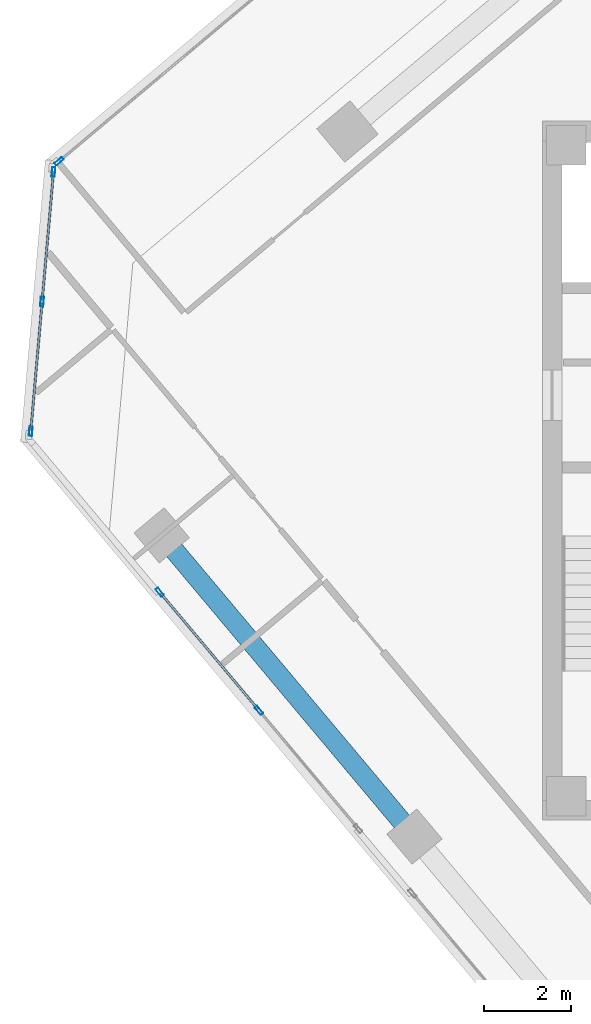
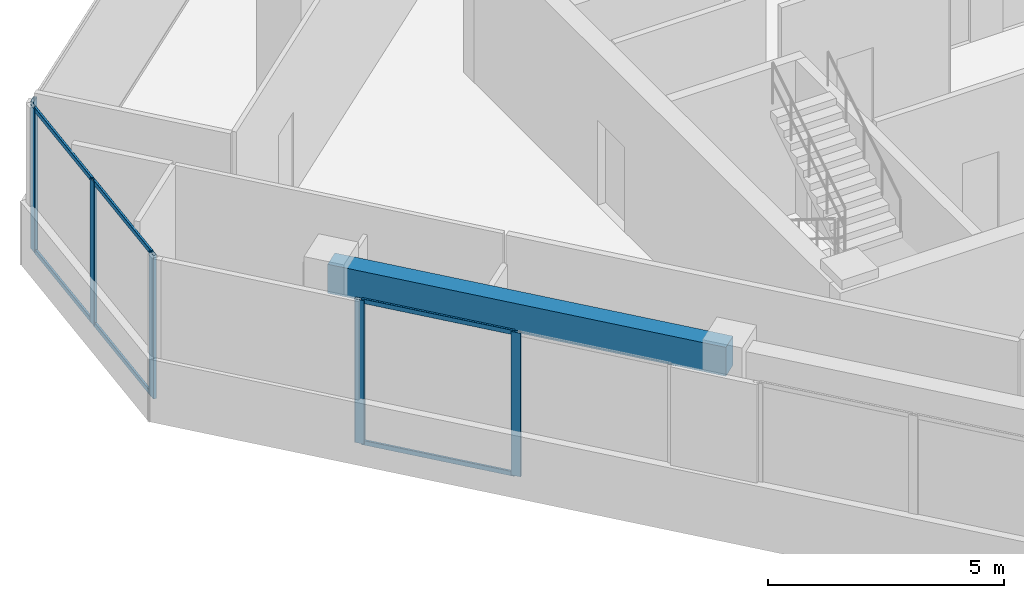
# One storey, part 4 of 17: 12 members, 1 beam, 3 elements without a shape of their own.
"""IFC4 building model written with IfcOpenShell, lengths in metres."""

from ifc_helpers import new_model, si_unit, direction, frame, origin, origin_2d, place, context, subcontext, project, spatial, rectangle, hollow_rectangle, extrude, source, transform, mapped, material, material_profile, profile_set, type_object, element, aggregate, save


model = new_model("IFC4")

# Units and contexts
model_context = context("Model", 3, precision=1e-05, world=origin(), true_north=direction((0.0, 1.0)))
body_context = subcontext(model_context, "Body", "Model", "MODEL_VIEW")
ifc_project = project(units=[si_unit("LENGTHUNIT", "METRE"), si_unit("AREAUNIT", "SQUARE_METRE"), si_unit("VOLUMEUNIT", "CUBIC_METRE"), si_unit("PLANEANGLEUNIT", "RADIAN"), si_unit("MASSUNIT", "GRAM", prefix="KILO")], contexts=[model_context])

# Site, building, storey
site_placement = place(None, origin())
site = spatial("IfcSite", under=ifc_project, at=site_placement, CompositionType="ELEMENT")
building_placement = place(site_placement, origin())
building = spatial("IfcBuilding", under=site, at=building_placement, Name="Torre Montelarca", CompositionType="ELEMENT")
storey_placement = place(building_placement, frame((0.0, 0.0, 271.0)))
storey = spatial("IfcBuildingStorey", under=building, at=storey_placement, Name="L61", CompositionType="ELEMENT", Elevation=271.0)

# Beam
ifc_material_1 = material(Name="Concrete C55/67", Category="concrete")
ifc_material_profile_1 = material_profile(ifc_material_1, rectangle(XDim=0.449951171875, YDim=0.75, at=origin_2d()), Name="RCB450X750", Category="concrete")
ifc_profile_set_1 = profile_set([ifc_material_profile_1], Name="Concrete C55/67")
beam_type = type_object("IfcBeamType", Name="BM-SP-RC750-EXT", PredefinedType="SPANDREL", material=ifc_profile_set_1)
shared_shape_1 = source(origin(), body_context, "Body", "SweptSolid", [
    extrude(rectangle(XDim=0.449951171875, YDim=0.75, at=origin_2d()), origin(), (0.0, 0.0, 1.0), 8.999755859375),
])
beam_placement = place(storey_placement, frame((0.289306640625, 30.51953125, 3.5849609375), z_axis=(0.642782285015, -0.766048911017, 0.0), x_axis=(0.766048911017, 0.642782285015, 0.0)))
element("IfcBeam", 1, at=beam_placement, inside=storey, type_object=beam_type, Name="L61 Grid Girder X 9.0-18.0 at Y=14.8", PredefinedType="SPANDREL", context=body_context, shape_type="MappedRepresentation", body=[
    mapped(shared_shape_1, transform((0.0, 0.0, 0.0), scale=1.0)),
])

# Curtain wall, members
ifc_material_2 = material(Name="Insulated low-E laminated glass", Category="glass")
curtain_wall_type = type_object("IfcCurtainWallType", Name="CW-SYS-Z3", PredefinedType="USERDEFINED", material=ifc_material_2)
curtain_wall_1_placement = place(storey_placement, origin())
curtain_wall_1 = element("IfcCurtainWall", 2, at=curtain_wall_1_placement, inside=storey, type_object=curtain_wall_type, Name="L61 Curtain Wall Run CW-T3-L61-E11-B1", ObjectType="UNITISED GLAZING", PredefinedType="USERDEFINED")
ifc_material_3 = material(Name="Anodised aluminium AA 6063-T6", Category="aluminium")
ifc_material_profile_2 = material_profile(ifc_material_3, hollow_rectangle(XDim=0.054931640625, YDim=0.1201171875, WallThickness=0.00341796875, InnerFilletRadius=0.00341796875, OuterFilletRadius=0.007080078125, at=origin_2d()), Name="ALU55X120X3.5", Category="aluminium")
ifc_profile_set_2 = profile_set([ifc_material_profile_2], Name="Anodised aluminium AA 6063-T6")
member_type_1 = type_object("IfcMemberType", Name="CWT-ALU120", PredefinedType="USERDEFINED", material=ifc_profile_set_2)
shared_shape_2 = source(origin(), body_context, "Body", "SweptSolid", [
    extrude(hollow_rectangle(XDim=0.054931640625, YDim=0.1201171875, WallThickness=0.00341796875, InnerFilletRadius=0.00341796875, OuterFilletRadius=0.007080078125, at=origin_2d()), origin(), (0.0, 0.0, 1.0), 2.903564453125),
])
member_1_placement = place(storey_placement, frame((-2.19189453125, 38.799560546875, 0.027587890625), z_axis=(-0.087191982893, -0.996191526826, 0.0), x_axis=(0.996191526826, -0.087191982893, 0.0)))
member_1 = element("IfcMember", 3, at=member_1_placement, type_object=member_type_1, Name="CW transom 1.1", ObjectType="TRANSOM", PredefinedType="USERDEFINED", context=body_context, shape_type="MappedRepresentation", body=[
    mapped(shared_shape_2, transform((0.0, 0.0, 0.0), scale=1.0)),
])
member_2_placement = place(storey_placement, frame((-2.19189453125, 38.799560546875, 3.6923828125), z_axis=(-0.087191982893, -0.996191526826, 0.0), x_axis=(0.996191526826, -0.087191982893, 0.0)))
member_2 = element("IfcMember", 4, at=member_2_placement, type_object=member_type_1, Name="CW transom 1.2", ObjectType="TRANSOM", PredefinedType="USERDEFINED", context=body_context, shape_type="MappedRepresentation", body=[
    mapped(shared_shape_2, transform((0.0, 0.0, 0.0), scale=1.0)),
])
member_3_placement = place(storey_placement, frame((-2.45166015625, 35.832275390625, 0.027587890625), z_axis=(-0.087191982893, -0.996191526826, 0.0), x_axis=(0.996191526826, -0.087191982893, 0.0)))
member_3 = element("IfcMember", 5, at=member_3_placement, type_object=member_type_1, Name="CW transom 2.1", ObjectType="TRANSOM", PredefinedType="USERDEFINED", context=body_context, shape_type="MappedRepresentation", body=[
    mapped(shared_shape_2, transform((0.0, 0.0, 0.0), scale=1.0)),
])
member_4_placement = place(storey_placement, frame((-2.45166015625, 35.832275390625, 3.6923828125), z_axis=(-0.087191982893, -0.996191526826, 0.0), x_axis=(0.996191526826, -0.087191982893, 0.0)))
member_4 = element("IfcMember", 6, at=member_4_placement, type_object=member_type_1, Name="CW transom 2.2", ObjectType="TRANSOM", PredefinedType="USERDEFINED", context=body_context, shape_type="MappedRepresentation", body=[
    mapped(shared_shape_2, transform((0.0, 0.0, 0.0), scale=1.0)),
])

curtain_wall_2_placement = place(storey_placement, origin())
curtain_wall_2 = element("IfcCurtainWall", 7, at=curtain_wall_2_placement, inside=storey, type_object=curtain_wall_type, Name="L61 Curtain Wall Run CW-T3-L61-E01-B1", ObjectType="UNITISED GLAZING", PredefinedType="USERDEFINED")
ifc_material_profile_3 = material_profile(ifc_material_3, hollow_rectangle(XDim=0.074951171875, YDim=0.219970703125, WallThickness=0.0048828125, InnerFilletRadius=0.0048828125, OuterFilletRadius=0.010009765625, at=origin_2d()), Name="ALU75X220X5", Category="aluminium")
ifc_profile_set_3 = profile_set([ifc_material_profile_3], Name="Anodised aluminium AA 6063-T6")
member_type_2 = type_object("IfcMemberType", Name="CWM-ALU220", PredefinedType="MULLION", material=ifc_profile_set_3)
shared_shape_3 = source(origin(), body_context, "Body", "SweptSolid", [
    extrude(hollow_rectangle(XDim=0.074951171875, YDim=0.219970703125, WallThickness=0.0048828125, InnerFilletRadius=0.0048828125, OuterFilletRadius=0.010009765625, at=origin_2d()), origin(), (0.0, 0.0, 1.0), 3.719970703125),
])
member_5_placement = place(storey_placement, frame((0.24462890625, 29.21923828125, 0.0), z_axis=(0.0, 0.0, 1.0), x_axis=(0.766041369551, 0.642791272604, 0.0)))
member_5 = element("IfcMember", 8, at=member_5_placement, type_object=member_type_2, Name="CW mullion 1", PredefinedType="MULLION", context=body_context, shape_type="MappedRepresentation", body=[
    mapped(shared_shape_3, transform((0.0, 0.0, 0.0), scale=1.0)),
])
member_6_placement = place(storey_placement, frame((2.51513671875, 26.51318359375, 0.0), z_axis=(0.0, 0.0, 1.0), x_axis=(0.766041369551, 0.642791272604, 0.0)))
member_6 = element("IfcMember", 9, at=member_6_placement, type_object=member_type_2, Name="CW mullion 2", PredefinedType="MULLION", context=body_context, shape_type="MappedRepresentation", body=[
    mapped(shared_shape_3, transform((0.0, 0.0, 0.0), scale=1.0)),
])

# Curtain wall, member
curtain_wall_3_placement = place(storey_placement, origin())
curtain_wall_3 = element("IfcCurtainWall", 10, at=curtain_wall_3_placement, inside=storey, type_object=curtain_wall_type, Name="L61 Curtain Wall Run CW-T3-L61-E10-B1", ObjectType="UNITISED GLAZING", PredefinedType="USERDEFINED")
member_7_placement = place(storey_placement, frame((-2.061279296875, 39.08203125, 0.0), z_axis=(0.0, 0.0, 1.0), x_axis=(0.642788408931, -0.766043772472, 0.0)))
member_7 = element("IfcMember", 11, at=member_7_placement, type_object=member_type_2, Name="CW mullion 3", PredefinedType="MULLION", context=body_context, shape_type="MappedRepresentation", body=[
    mapped(shared_shape_3, transform((0.0, 0.0, 0.0), scale=1.0)),
])
aggregate(curtain_wall_3, [member_7])

# Member
member_8_placement = place(storey_placement, frame((-2.188720703125, 38.8369140625, 0.0), z_axis=(0.0, 0.0, 1.0), x_axis=(0.996192349816, -0.087182579501, 0.0)))
member_8 = element("IfcMember", 12, at=member_8_placement, type_object=member_type_2, Name="CW mullion 1", PredefinedType="MULLION", context=body_context, shape_type="MappedRepresentation", body=[
    mapped(shared_shape_3, transform((0.0, 0.0, 0.0), scale=1.0)),
])

member_9_placement = place(storey_placement, frame((-2.4482421875, 35.86962890625, 0.0), z_axis=(0.0, 0.0, 1.0), x_axis=(0.996192349816, -0.087182579501, 0.0)))
member_9 = element("IfcMember", 13, at=member_9_placement, type_object=member_type_2, Name="CW mullion 2", PredefinedType="MULLION", context=body_context, shape_type="MappedRepresentation", body=[
    mapped(shared_shape_3, transform((0.0, 0.0, 0.0), scale=1.0)),
])

member_10_placement = place(storey_placement, frame((-2.7080078125, 32.90234375, 0.0), z_axis=(0.0, 0.0, 1.0), x_axis=(0.996192349816, -0.087182579501, 0.0)))
member_10 = element("IfcMember", 14, at=member_10_placement, type_object=member_type_2, Name="CW mullion 3", PredefinedType="MULLION", context=body_context, shape_type="MappedRepresentation", body=[
    mapped(shared_shape_3, transform((0.0, 0.0, 0.0), scale=1.0)),
])

aggregate(curtain_wall_1, [member_8, member_9, member_10, member_1, member_2, member_3, member_4])

shared_shape_4 = source(origin(), body_context, "Body", "SweptSolid", [
    extrude(hollow_rectangle(XDim=0.054931640625, YDim=0.1201171875, WallThickness=0.00341796875, InnerFilletRadius=0.00341796875, OuterFilletRadius=0.007080078125, at=origin_2d()), origin(), (0.0, 0.0, 1.0), 3.457275390625),
])
member_11_placement = place(storey_placement, frame((0.268798828125, 29.1904296875, 0.027587890625), z_axis=(0.64280614081, -0.766028893278, 0.0), x_axis=(0.766028893278, 0.64280614081, 0.0)))
member_11 = element("IfcMember", 15, at=member_11_placement, type_object=member_type_1, Name="CW transom 1.1", ObjectType="TRANSOM", PredefinedType="USERDEFINED", context=body_context, shape_type="MappedRepresentation", body=[
    mapped(shared_shape_4, transform((0.0, 0.0, 0.0), scale=1.0)),
])

member_12_placement = place(storey_placement, frame((0.268798828125, 29.1904296875, 3.6923828125), z_axis=(0.64280614081, -0.766028893278, 0.0), x_axis=(0.766028893278, 0.64280614081, 0.0)))
member_12 = element("IfcMember", 16, at=member_12_placement, type_object=member_type_1, Name="CW transom 1.2", ObjectType="TRANSOM", PredefinedType="USERDEFINED", context=body_context, shape_type="MappedRepresentation", body=[
    mapped(shared_shape_4, transform((0.0, 0.0, 0.0), scale=1.0)),
])

aggregate(curtain_wall_2, [member_5, member_6, member_11, member_12])

save(model, "model.ifc")
